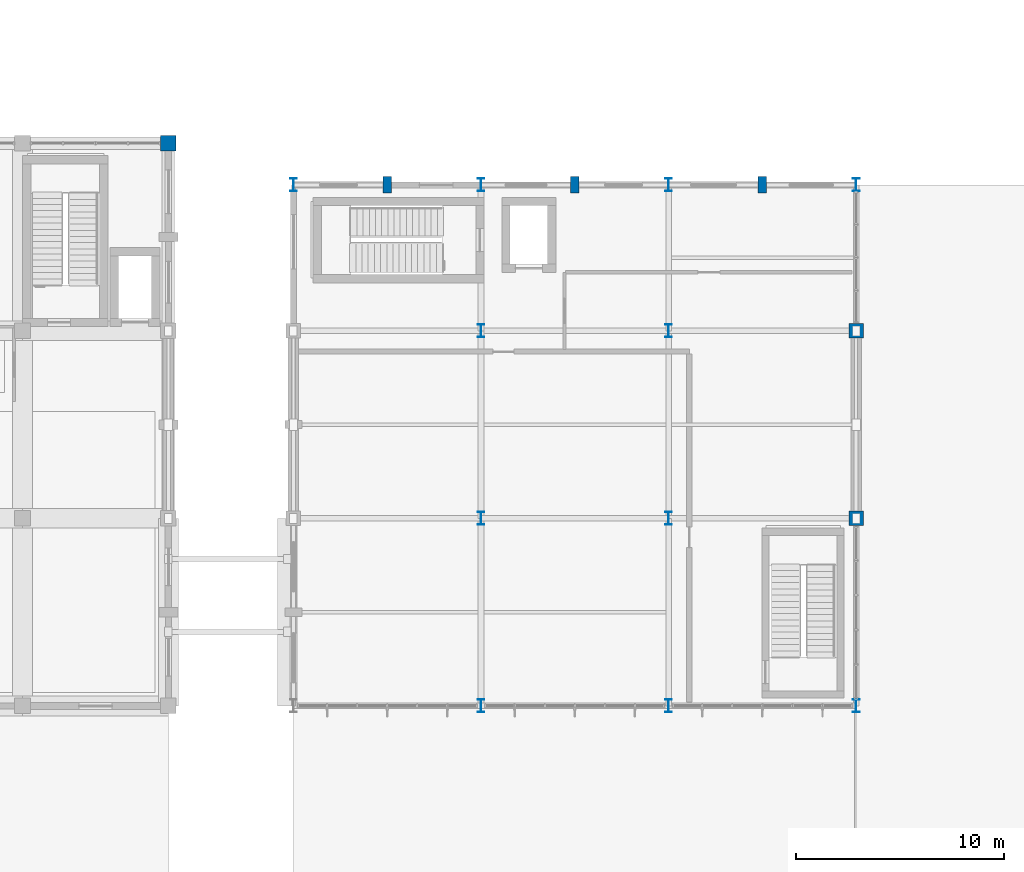
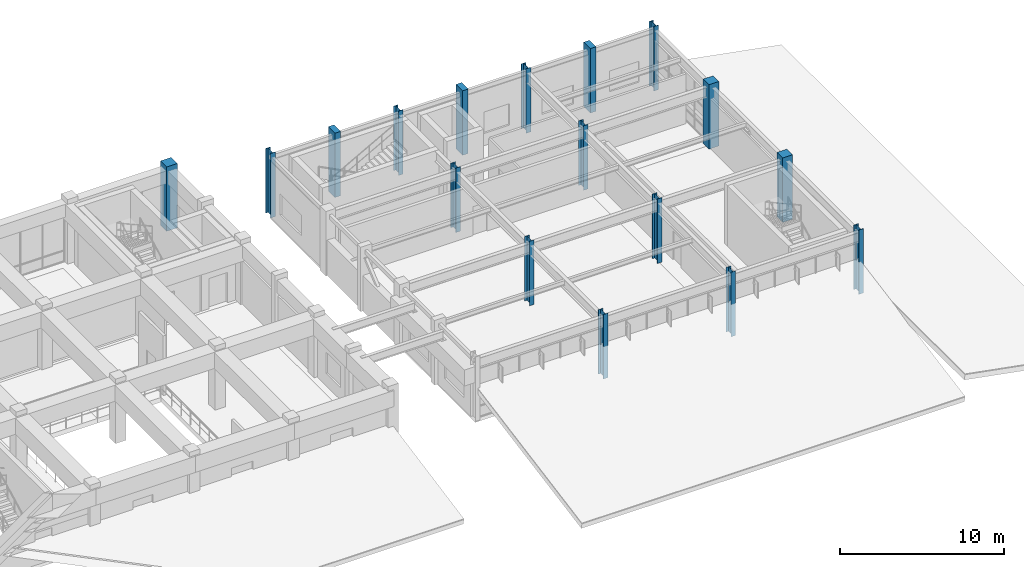
# One storey, part 7 of 104: 17 columns.
"""IFC4 building model written with IfcOpenShell, lengths in metres."""

from ifc_helpers import new_model, si_unit, direction, frame, origin, origin_2d, place, context, subcontext, project, spatial, rectangle, i_section, extrude, material, material_profile, profile_set, type_object, element, save


model = new_model("IFC4")

# Units and contexts
model_context = context("Model", 3, precision=1e-05, world=origin(), true_north=direction((0.0, 1.0)))
body_context = subcontext(model_context, "Body", "Model", "MODEL_VIEW")
ifc_project = project(units=[si_unit("LENGTHUNIT", "METRE"), si_unit("AREAUNIT", "SQUARE_METRE"), si_unit("VOLUMEUNIT", "CUBIC_METRE"), si_unit("PLANEANGLEUNIT", "RADIAN"), si_unit("MASSUNIT", "GRAM", prefix="KILO")], contexts=[model_context])

# Site, building, storey
site_placement = place(None, origin())
site = spatial("IfcSite", under=ifc_project, at=site_placement, CompositionType="ELEMENT")
building_placement = place(site_placement, origin())
building = spatial("IfcBuilding", under=site, at=building_placement, Name="Ventoquebrada Cableway Terminal", CompositionType="ELEMENT")
storey_placement = place(building_placement, frame((0.0, 0.0, 4.800048828125)))
storey = spatial("IfcBuildingStorey", under=building, at=storey_placement, Name="L01", CompositionType="ELEMENT", Elevation=4.800048828125)

# Columns
ifc_material_1 = material(Name="Concrete C40/50", Category="concrete")
ifc_material_profile_1 = material_profile(ifc_material_1, rectangle(XDim=0.699951171875, YDim=0.699951171875, at=origin_2d()), Name="RC-COL-700X700")
ifc_profile_set_1 = profile_set([ifc_material_profile_1], Name="Concrete C40/50")
column_type_1 = type_object("IfcColumnType", Name="COL-RC04", PredefinedType="COLUMN", material=ifc_profile_set_1)
for number, where, z_axis, x_axis, name in (
    (1, (156.0, 86.0, 0.0), (0.0, 0.0, 1.0), (1.0, 0.0, 0.0), "Structural column FC-0592"),
    (2, (156.0, 95.0, 0.0), (0.0, 0.0, 1.0), (1.0, 0.0, 0.0), "Structural column FC-0596"),
):
    element("IfcColumn", number, at=place(storey_placement, frame(where, z_axis=z_axis, x_axis=x_axis)), inside=storey, type_object=column_type_1, Name=name, PredefinedType="COLUMN", context=body_context, shape_type="SweptSolid", body=[
        extrude(rectangle(XDim=0.699951171875, YDim=0.699951171875, at=origin_2d()), origin(), (0.0, 0.0, 1.0), 4.800048828125),
    ])
ifc_material_profile_2 = material_profile(ifc_material_1, rectangle(XDim=0.75, YDim=0.75, at=origin_2d()), Name="RC-COL-750X750")
ifc_profile_set_2 = profile_set([ifc_material_profile_2], Name="Concrete C40/50")
column_type_2 = type_object("IfcColumnType", Name="COL-RC05", PredefinedType="COLUMN", material=ifc_profile_set_2)
column_placement = place(storey_placement, frame((123.0, 104.0, 0.0), z_axis=(0.0, 0.0, 1.0), x_axis=(1.0, 0.0, 0.0)))
element("IfcColumn", 3, at=column_placement, inside=storey, type_object=column_type_2, Name="Structural column FC-0492", PredefinedType="COLUMN", context=body_context, shape_type="SweptSolid", body=[
    extrude(rectangle(XDim=0.75, YDim=0.75, at=origin_2d()), origin(), (0.0, 0.0, 1.0), 4.800048828125),
])
ifc_material_2 = material(Name="Steel ASTM A992 Grade 50", Category="steel")
ifc_material_profile_3 = material_profile(ifc_material_2, i_section(OverallWidth=0.327880859375, OverallDepth=0.6220703125, WebThickness=0.015380859375, FlangeThickness=0.0244140625, at=origin_2d()), Name="W24X131")
ifc_profile_set_3 = profile_set([ifc_material_profile_3], Name="Steel ASTM A992 Grade 50")
column_type_3 = type_object("IfcColumnType", Name="COL-ST02", PredefinedType="COLUMN", material=ifc_profile_set_3)
for number, where, z_axis, x_axis, name in (
    (4, (129.0, 102.0, 0.0), (0.0, 0.0, 1.0), (1.0, 0.0, 0.0), "Structural column FC-0540"),
    (5, (138.0, 77.0, 0.0), (0.0, 0.0, 1.0), (1.0, 0.0, 0.0), "Structural column FC-0548"),
    (6, (138.0, 86.0, 0.0), (0.0, 0.0, 1.0), (1.0, 0.0, 0.0), "Structural column FC-0552"),
    (7, (138.0, 95.0, 0.0), (0.0, 0.0, 1.0), (1.0, 0.0, 0.0), "Structural column FC-0556"),
    (8, (138.0, 102.0, 0.0), (0.0, 0.0, 1.0), (1.0, 0.0, 0.0), "Structural column FC-0560"),
    (9, (147.0, 77.0, 0.0), (0.0, 0.0, 1.0), (1.0, 0.0, 0.0), "Structural column FC-0568"),
    (10, (147.0, 86.0, 0.0), (0.0, 0.0, 1.0), (1.0, 0.0, 0.0), "Structural column FC-0572"),
    (11, (147.0, 95.0, 0.0), (0.0, 0.0, 1.0), (1.0, 0.0, 0.0), "Structural column FC-0576"),
    (12, (147.0, 102.0, 0.0), (0.0, 0.0, 1.0), (1.0, 0.0, 0.0), "Structural column FC-0580"),
    (13, (156.0, 77.0, 0.0), (0.0, 0.0, 1.0), (1.0, 0.0, 0.0), "Structural column FC-0588"),
    (14, (156.0, 102.0, 0.0), (0.0, 0.0, 1.0), (1.0, 0.0, 0.0), "Structural column FC-0600"),
):
    element("IfcColumn", number, at=place(storey_placement, frame(where, z_axis=z_axis, x_axis=x_axis)), inside=storey, type_object=column_type_3, Name=name, PredefinedType="COLUMN", context=body_context, shape_type="SweptSolid", body=[
        extrude(i_section(OverallWidth=0.327880859375, OverallDepth=0.6220703125, WebThickness=0.015380859375, FlangeThickness=0.0244140625, at=origin_2d()), origin(), (0.0, 0.0, 1.0), 4.800048828125),
    ])
ifc_material_profile_4 = material_profile(ifc_material_1, rectangle(XDim=0.39990234375, YDim=0.800048828125, at=origin_2d()), Name="RC-PIL-400X800")
ifc_profile_set_4 = profile_set([ifc_material_profile_4], Name="Concrete C40/50")
column_type_4 = type_object("IfcColumnType", Name="PIL-RC01", PredefinedType="PILASTER", material=ifc_profile_set_4)
for number, where, z_axis, x_axis, name in (
    (15, (133.5, 102.0, 0.0), (0.0, 0.0, 1.0), (1.0, 0.0, 0.0), "Facade pilaster FPL-0624"),
    (16, (142.5, 102.0, 0.0), (0.0, 0.0, 1.0), (1.0, 0.0, 0.0), "Facade pilaster FPL-0628"),
    (17, (151.5, 102.0, 0.0), (0.0, 0.0, 1.0), (1.0, 0.0, 0.0), "Facade pilaster FPL-0632"),
):
    element("IfcColumn", number, at=place(storey_placement, frame(where, z_axis=z_axis, x_axis=x_axis)), inside=storey, type_object=column_type_4, Name=name, PredefinedType="PILASTER", context=body_context, shape_type="SweptSolid", body=[
        extrude(rectangle(XDim=0.39990234375, YDim=0.800048828125, at=origin_2d()), origin(), (0.0, 0.0, 1.0), 4.800048828125),
    ])

save(model, "model.ifc")
